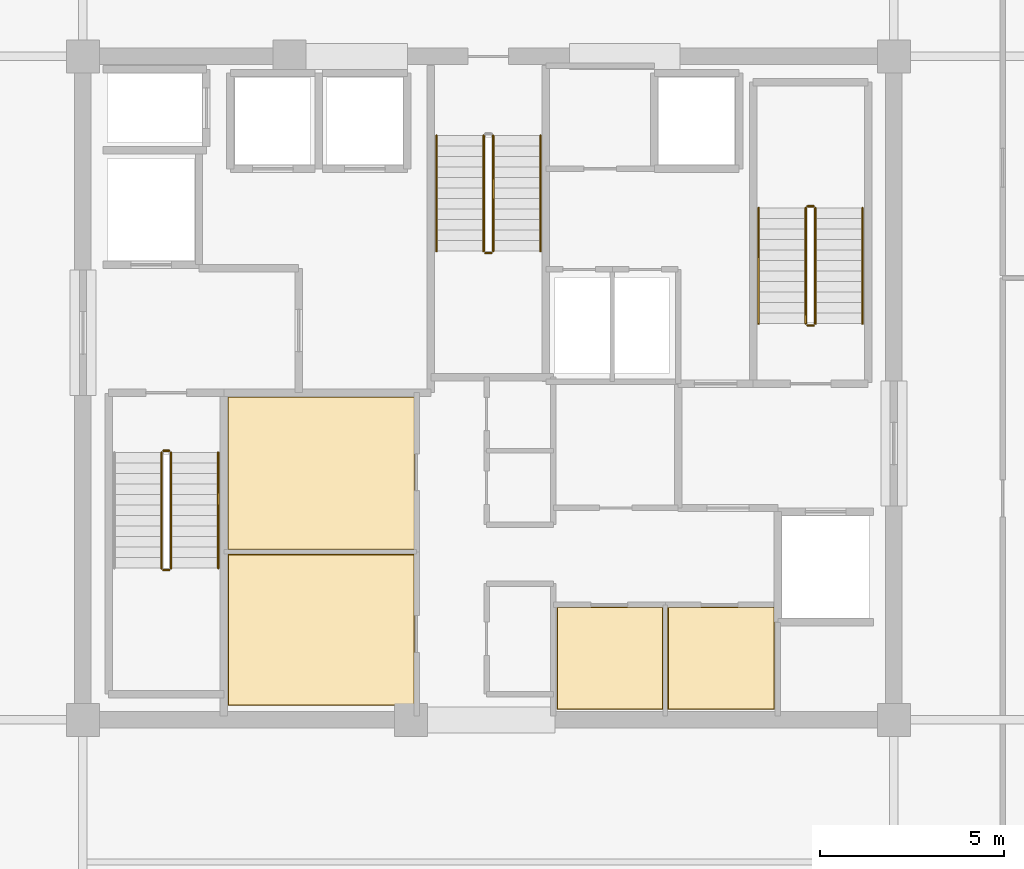
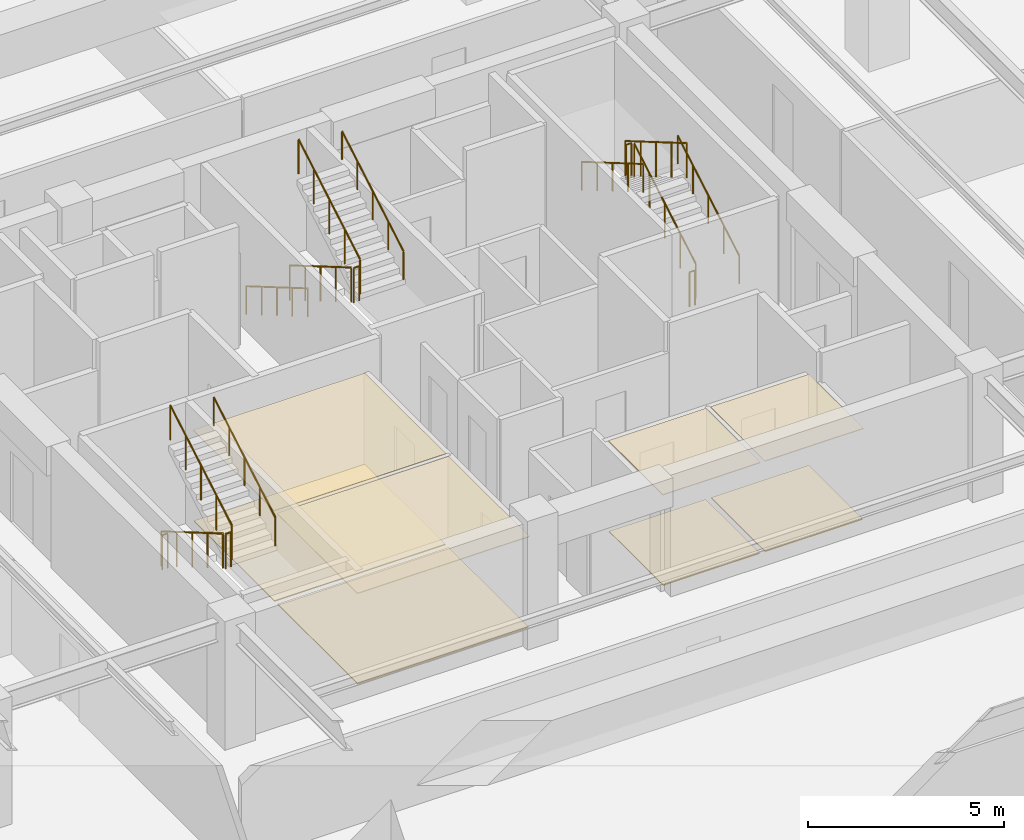
# One storey, part 20 of 23: 16 railings, 8 coverings.
"""IFC4 building model written with IfcOpenShell, lengths in metres."""

import ifcopenshell
import ifcopenshell.guid

model = None  # the IFC model being written
_history = None  # IfcOwnerHistory: only IFC2X3 demands one
_inside = {}  # id of a spatial element -> (the spatial element, [elements in it])
_under = {}  # id of a project, library or spatial element -> (it, [spatial elements below it])
_declared = {}  # id of a project -> (the project, [libraries it declares])
_typed = {}  # id of a type object -> (the type object, [elements of that type])
_made_of = {}  # id of a material, layer set ... -> (it, [elements and type objects made of it])


def new_model(schema):
    """Start an empty IFC model of exactly this schema.

    Asked for "IFC4X3", IfcOpenShell would pick the latest addendum, in which some entities
    have other attributes; the version numbers below select the first issue.
    IFC2X3 requires an IfcOwnerHistory on every rooted entity: one is made here for all.
    """
    global model, _history
    if schema == "IFC4X3":
        model = ifcopenshell.file(schema_version=(4, 3, 0, 0))
    else:
        model = ifcopenshell.file(schema=schema)
    _inside.clear()
    _under.clear()
    _declared.clear()
    _typed.clear()
    _made_of.clear()
    _history = None
    if model.schema == "IFC2X3":
        org = make("IfcOrganization", Name="unknown")
        user = make(
            "IfcPersonAndOrganization",
            ThePerson=make("IfcPerson", FamilyName="unknown"),
            TheOrganization=org,
        )
        app = make(
            "IfcApplication",
            ApplicationDeveloper=org,
            Version="unknown",
            ApplicationFullName="unknown",
            ApplicationIdentifier="unknown",
        )
        _history = make(
            "IfcOwnerHistory",
            OwningUser=user,
            OwningApplication=app,
            ChangeAction="ADDED",
            CreationDate=0,
        )
    return model


def make(cls, **values):
    """One entity of the class cls with the attributes given. An attribute that is None is left unset."""
    return model.create_entity(
        cls, **{name: value for name, value in values.items() if value is not None}
    )


def rooted(cls, **values):
    """An entity with a GlobalId (a new one), such as an element, a storey or a relation."""
    return make(cls, GlobalId=ifcopenshell.guid.new(), OwnerHistory=_history, **values)


def si_unit(unit_type, name, prefix=None):
    """IfcSIUnit, for example si_unit("LENGTHUNIT", "METRE", prefix="MILLI")."""
    return make("IfcSIUnit", UnitType=unit_type, Prefix=prefix, Name=name)


def assignment(units):
    """IfcUnitAssignment: the units of a project."""
    return None if units is None else make("IfcUnitAssignment", Units=units)


def point(xyz):
    """IfcCartesianPoint."""
    return None if xyz is None else make("IfcCartesianPoint", Coordinates=xyz)


def direction(xyz):
    """IfcDirection."""
    return None if xyz is None else make("IfcDirection", DirectionRatios=xyz)


def frame(location, z_axis=None, x_axis=None):
    """IfcAxis2Placement3D, a coordinate frame: its origin and axes. An axis left out is left unset."""
    return make(
        "IfcAxis2Placement3D",
        Location=point(location),
        Axis=direction(z_axis),
        RefDirection=direction(x_axis),
    )


def frame_2d(location, x_axis=None):
    """IfcAxis2Placement2D, a coordinate frame in the plane: its origin and x axis."""
    return make(
        "IfcAxis2Placement2D", Location=point(location), RefDirection=direction(x_axis)
    )


def origin():
    """The frame at (0, 0, 0) with its axes left unset."""
    return frame((0.0, 0.0, 0.0))


def origin_2d():
    """The frame at (0, 0) in the plane with its x axis left unset."""
    return frame_2d((0.0, 0.0))


def place(relative_to, where):
    """IfcLocalPlacement: puts the frame where relative to a parent placement (None: the world)."""
    return make(
        "IfcLocalPlacement", PlacementRelTo=relative_to, RelativePlacement=where
    )


def context(
    kind, dimensions, precision=None, world=None, true_north=None, identifier=None
):
    """IfcGeometricRepresentationContext, for example the 3D "Model" context."""
    return make(
        "IfcGeometricRepresentationContext",
        ContextIdentifier=identifier,
        ContextType=kind,
        CoordinateSpaceDimension=dimensions,
        Precision=precision,
        WorldCoordinateSystem=world,
        TrueNorth=true_north,
    )


def subcontext(parent, identifier, kind, view, scale=None):
    """IfcGeometricRepresentationSubContext, for example "Body" below "Model"."""
    return make(
        "IfcGeometricRepresentationSubContext",
        ContextIdentifier=identifier,
        ContextType=kind,
        ParentContext=parent,
        TargetScale=scale,
        TargetView=view,
    )


def project(units=None, contexts=None):
    """IfcProject with its units and contexts."""
    return rooted(
        "IfcProject",
        Name="project",
        RepresentationContexts=contexts,
        UnitsInContext=assignment(units),
    )


def spatial(cls, under=None, at=None, **own):
    """A site, building, storey or space (cls), placed at a placement, below another one or the project."""
    s = rooted(cls, ObjectPlacement=at, **own)
    if under is not None:
        _under.setdefault(under.id(), (under, []))[1].append(s)
    return s


def polyline(points):
    """IfcPolyline through the points."""
    return make("IfcPolyline", Points=[point(p) for p in points])


def profile(cls, at=None, kind="AREA", **sizes):
    """A parametric profile (cls). Its sizes go by their IFC names, for example OverallWidth=200.0."""
    return make(cls, ProfileType=kind, Position=at, **sizes)


def circle(**sizes):
    """IfcCircleProfileDef."""
    return profile("IfcCircleProfileDef", **sizes)


def outline(outer, holes=None, kind="AREA"):
    """IfcArbitraryClosedProfileDef: a profile drawn as a closed curve; with holes, ...WithVoids."""
    if holes is None:
        return make("IfcArbitraryClosedProfileDef", ProfileType=kind, OuterCurve=outer)
    return make(
        "IfcArbitraryProfileDefWithVoids",
        ProfileType=kind,
        OuterCurve=outer,
        InnerCurves=holes,
    )


def extrude(swept, where, along, depth):
    """IfcExtrudedAreaSolid: the profile swept, set in the frame where, extruded along a direction by depth."""
    return make(
        "IfcExtrudedAreaSolid",
        SweptArea=swept,
        Position=where,
        ExtrudedDirection=direction(along),
        Depth=depth,
    )


def shape(context_of_items, identifier, shape_type, items):
    """IfcShapeRepresentation: the items that make up one representation, for example the "Body"."""
    return make(
        "IfcShapeRepresentation",
        ContextOfItems=context_of_items,
        RepresentationIdentifier=identifier,
        RepresentationType=shape_type,
        Items=items,
    )


def material(Name=None, Category=None):
    """IfcMaterial."""
    return make("IfcMaterial", Name=Name, Category=Category)


def layer(
    of_material, thickness, ventilated=None, Name=None, Category=None, Priority=None
):
    """IfcMaterialLayer: one layer of a wall or slab, of a material (None: an air gap)."""
    return make(
        "IfcMaterialLayer",
        Material=of_material,
        LayerThickness=thickness,
        IsVentilated=ventilated,
        Name=Name,
        Category=Category,
        Priority=Priority,
    )


def layer_set(layers, Name=None):
    """IfcMaterialLayerSet."""
    return make("IfcMaterialLayerSet", MaterialLayers=layers, LayerSetName=Name)


def made_of(thing, what):
    """Note that an element or type object is made of a material, layer set ...; save() writes the relation."""
    if what is not None:
        _made_of.setdefault(what.id(), (what, []))[1].append(thing)
    return thing


def type_object(cls, material=None, **own):
    """A type object (cls), such as IfcWallType, which elements share."""
    return made_of(rooted(cls, **own), material)


def element(
    cls,
    number,
    at=None,
    inside=None,
    cuts=None,
    type_object=None,
    material=None,
    context=None,
    identifier="Body",
    shape_type=None,
    held_by="IfcProductDefinitionShape",
    body=None,
    shapes=None,
    **own,
):
    """One element of the class cls, such as IfcWall. Its Tag is "e" and its number.

    at: its placement. inside: the storey or other place that contains it. cuts: it is an
    opening in that element (IfcRelVoidsElement). A single representation is given by context,
    identifier, shape_type and body (its items); several are given by shapes. held_by: the class
    of the entity that holds the representations. save() writes the other relations.
    """
    e = rooted(cls, Tag="e%d" % number, ObjectPlacement=at, **own)
    if body is not None:
        shapes = [shape(context, identifier, shape_type, body)]
    if shapes is not None:
        e.Representation = make(held_by, Representations=shapes)
    if inside is not None:
        _inside.setdefault(inside.id(), (inside, []))[1].append(e)
    if cuts is not None:
        rooted(
            "IfcRelVoidsElement", RelatingBuildingElement=cuts, RelatedOpeningElement=e
        )
    if type_object is not None:
        _typed.setdefault(type_object.id(), (type_object, []))[1].append(e)
    return made_of(e, material)


def aggregate(whole, parts):
    """IfcRelAggregates: a whole, such as a stair, and the parts it consists of."""
    return rooted("IfcRelAggregates", RelatingObject=whole, RelatedObjects=parts)


def save(model, path):
    """Write the relations noted so far, then the file.

    IfcRelAggregates (storeys below a building ...), IfcRelContainedInSpatialStructure (elements
    in a storey), IfcRelDefinesByType, IfcRelAssociatesMaterial and IfcRelDeclares: one each for
    every whole, place, type object, material and project.
    """
    for whole, parts in _under.values():
        aggregate(whole, parts)
    for where, things in _inside.values():
        rooted(
            "IfcRelContainedInSpatialStructure",
            RelatedElements=things,
            RelatingStructure=where,
        )
    for kind, things in _typed.values():
        rooted("IfcRelDefinesByType", RelatedObjects=things, RelatingType=kind)
    for what, things in _made_of.values():
        rooted("IfcRelAssociatesMaterial", RelatedObjects=things, RelatingMaterial=what)
    for by, libraries in _declared.values():
        rooted("IfcRelDeclares", RelatingContext=by, RelatedDefinitions=libraries)
    model.write(path)


model = new_model("IFC4")

# Units and contexts
model_context = context("Model", 3, precision=1e-05, world=origin(), true_north=direction((0.0, 1.0)))
body_context = subcontext(model_context, "Body", "Model", "MODEL_VIEW")
ifc_project = project(units=[si_unit("LENGTHUNIT", "METRE"), si_unit("AREAUNIT", "SQUARE_METRE"), si_unit("VOLUMEUNIT", "CUBIC_METRE"), si_unit("PLANEANGLEUNIT", "RADIAN"), si_unit("MASSUNIT", "GRAM", prefix="KILO")], contexts=[model_context])

# Site, building, storey
site_placement = place(None, origin())
site = spatial("IfcSite", under=ifc_project, at=site_placement, CompositionType="ELEMENT")
building_placement = place(site_placement, origin())
building = spatial("IfcBuilding", under=site, at=building_placement, Name="Kovane Verandah Tower", CompositionType="ELEMENT")
storey_placement = place(building_placement, frame((0.0, 0.0, 243.199951171875)))
storey = spatial("IfcBuildingStorey", under=building, at=storey_placement, Name="L56", CompositionType="ELEMENT", Elevation=243.199951171875)

# Coverings
ifc_material_1 = material(Name="Perforated Acoustic Mineral-Fibre Ceiling Tile", Category="gypsum")
ifc_layer_1 = layer(ifc_material_1, 0.02490234375)
ifc_layer_set_1 = layer_set([ifc_layer_1], Name="Perforated Acoustic Mineral-Fibre Ceiling Tile")
covering_type_1 = type_object("IfcCoveringType", Name="CV-CEIL-25", PredefinedType="CEILING", material=ifc_layer_set_1)
covering_1_placement = place(storey_placement, frame((0.0, 0.0, 2.824951171875)))
element("IfcCovering", 1, at=covering_1_placement, inside=storey, type_object=covering_type_1, Name="L56 IT Server Room Acoustic Ceiling", PredefinedType="CEILING", context=body_context, shape_type="SweptSolid", body=[
    extrude(outline(polyline([(32.93505859375, 18.885009765625), (37.9951171875, 18.885009765625), (37.9951171875, 22.9951171875), (32.93505859375, 22.9951171875), (32.93505859375, 18.885009765625)])), origin(), (0.0, 0.0, 1.0), 0.025146484375),
])
covering_2_placement = place(storey_placement, frame((0.0, 0.0, 2.824951171875)))
element("IfcCovering", 2, at=covering_2_placement, inside=storey, type_object=covering_type_1, Name="L56 Telecom MDF Room Acoustic Ceiling", PredefinedType="CEILING", context=body_context, shape_type="SweptSolid", body=[
    extrude(outline(polyline([(32.93505859375, 23.125), (37.9951171875, 23.125), (37.9951171875, 27.264892578125), (32.93505859375, 27.264892578125), (32.93505859375, 23.125)])), origin(), (0.0, 0.0, 1.0), 0.025146484375),
])
covering_3_placement = place(storey_placement, frame((0.0, 0.0, 2.824951171875)))
element("IfcCovering", 3, at=covering_3_placement, inside=storey, type_object=covering_type_1, Name="L56 AV Control Room Acoustic Ceiling", PredefinedType="CEILING", context=body_context, shape_type="SweptSolid", body=[
    extrude(outline(polyline([(41.864990234375, 18.784912109375), (44.735107421875, 18.784912109375), (44.735107421875, 21.56494140625), (41.864990234375, 21.56494140625), (41.864990234375, 18.784912109375)])), origin(), (0.0, 0.0, 1.0), 0.025146484375),
])
covering_4_placement = place(storey_placement, frame((0.0, 0.0, 2.824951171875)))
element("IfcCovering", 4, at=covering_4_placement, inside=storey, type_object=covering_type_1, Name="L56 East IT Server Room Acoustic Ceiling", PredefinedType="CEILING", context=body_context, shape_type="SweptSolid", body=[
    extrude(outline(polyline([(44.864990234375, 18.784912109375), (47.764892578125, 18.784912109375), (47.764892578125, 21.56494140625), (44.864990234375, 21.56494140625), (44.864990234375, 18.784912109375)])), origin(), (0.0, 0.0, 1.0), 0.025146484375),
])
ifc_material_2 = material(Name="Polished Terrazzo and Raised-Access Carpet Tile Finish", Category="concrete")
ifc_layer_2 = layer(ifc_material_2, 0.030029296875)
ifc_layer_set_2 = layer_set([ifc_layer_2], Name="Polished Terrazzo and Raised-Access Carpet Tile Finish")
covering_type_2 = type_object("IfcCoveringType", Name="CV-FLOR-30", PredefinedType="FLOORING", material=ifc_layer_set_2)
covering_5_placement = place(storey_placement, origin())
element("IfcCovering", 5, at=covering_5_placement, inside=storey, type_object=covering_type_2, Name="L56 IT Server Room Floor Finish", PredefinedType="FLOORING", context=body_context, shape_type="SweptSolid", body=[
    extrude(outline(polyline([(32.949951171875, 18.89990234375), (37.97998046875, 18.89990234375), (37.97998046875, 22.97998046875), (32.949951171875, 22.97998046875), (32.949951171875, 18.89990234375)])), origin(), (0.0, 0.0, 1.0), 0.030029296875),
])
covering_6_placement = place(storey_placement, origin())
element("IfcCovering", 6, at=covering_6_placement, inside=storey, type_object=covering_type_2, Name="L56 Telecom MDF Room Floor Finish", PredefinedType="FLOORING", context=body_context, shape_type="SweptSolid", body=[
    extrude(outline(polyline([(32.949951171875, 23.139892578125), (37.97998046875, 23.139892578125), (37.97998046875, 27.25), (32.949951171875, 27.25), (32.949951171875, 23.139892578125)])), origin(), (0.0, 0.0, 1.0), 0.030029296875),
])
covering_7_placement = place(storey_placement, origin())
element("IfcCovering", 7, at=covering_7_placement, inside=storey, type_object=covering_type_2, Name="L56 AV Control Room Floor Finish", PredefinedType="FLOORING", context=body_context, shape_type="SweptSolid", body=[
    extrude(outline(polyline([(41.8798828125, 18.800048828125), (44.719970703125, 18.800048828125), (44.719970703125, 21.550048828125), (41.8798828125, 21.550048828125), (41.8798828125, 18.800048828125)])), origin(), (0.0, 0.0, 1.0), 0.030029296875),
])
covering_8_placement = place(storey_placement, origin())
element("IfcCovering", 8, at=covering_8_placement, inside=storey, type_object=covering_type_2, Name="L56 East IT Server Room Floor Finish", PredefinedType="FLOORING", context=body_context, shape_type="SweptSolid", body=[
    extrude(outline(polyline([(44.8798828125, 18.800048828125), (47.75, 18.800048828125), (47.75, 21.550048828125), (44.8798828125, 21.550048828125), (44.8798828125, 18.800048828125)])), origin(), (0.0, 0.0, 1.0), 0.030029296875),
])

# Railings
ifc_material_3 = material(Name="Brushed Stainless Steel Handrail", Category="steel")
railing_type_1 = type_object("IfcRailingType", Name="RL-HAND-920", PredefinedType="HANDRAIL", material=ifc_material_3)
for number, where, name in (
    (9, (32.669921875, 22.614990234375, 2.166748046875), "L56 ST-01 stair handrail 2"),
    (10, (50.14990234375, 29.25, 0.166748046875), "L56 ST-02 stair handrail 1"),
):
    element("IfcRailing", number, at=place(storey_placement, frame(where)), inside=storey, type_object=railing_type_1, Name=name, PredefinedType="HANDRAIL", context=body_context, shape_type="SweptSolid", body=[
        extrude(circle(Radius=0.02392578125, at=origin_2d()), frame((0.0, 0.0, 0.8759765625), z_axis=(0.0, 0.863239559939, 0.504794475164), x_axis=(-1.0, 0.0, 0.0)), (0.0, 0.0, 1.0), 3.631591796875),
        extrude(circle(Radius=0.02099609375, at=origin_2d()), origin(), (0.0, 0.0, 1.0), 0.851806640625),
        extrude(circle(Radius=0.02099609375, at=origin_2d()), frame((0.0, 0.78369140625, 0.458251953125)), (0.0, 0.0, 1.0), 0.851806640625),
        extrude(circle(Radius=0.02099609375, at=origin_2d()), frame((0.0, 1.5673828125, 0.91650390625)), (0.0, 0.0, 1.0), 0.851806640625),
        extrude(circle(Radius=0.02099609375, at=origin_2d()), frame((0.0, 2.351318359375, 1.375)), (0.0, 0.0, 1.0), 0.851806640625),
        extrude(circle(Radius=0.02099609375, at=origin_2d()), frame((0.0, 3.135009765625, 1.833251953125)), (0.0, 0.0, 1.0), 0.851806640625),
    ])
for number, where, name in (
    (11, (47.330078125, 32.385009765625, 2.166748046875), "L56 ST-02 stair handrail 2"),
    (12, (38.590087890625, 34.35009765625, 0.166748046875), "L56 ST-03 stair handrail 1"),
):
    element("IfcRailing", number, at=place(storey_placement, frame(where)), inside=storey, type_object=railing_type_1, Name=name, PredefinedType="HANDRAIL", context=body_context, shape_type="SweptSolid", body=[
        extrude(circle(Radius=0.02392578125, at=origin_2d()), frame((0.0, 0.0, 0.8759765625), z_axis=(0.0, -0.863239559939, 0.504794475164), x_axis=(1.0, 0.0, 0.0)), (0.0, 0.0, 1.0), 3.631591796875),
        extrude(circle(Radius=0.02099609375, at=origin_2d()), origin(), (0.0, 0.0, 1.0), 0.851806640625),
        extrude(circle(Radius=0.02099609375, at=origin_2d()), frame((0.0, -0.78369140625, 0.458251953125)), (0.0, 0.0, 1.0), 0.851806640625),
        extrude(circle(Radius=0.02099609375, at=origin_2d()), frame((0.0, -1.5673828125, 0.91650390625)), (0.0, 0.0, 1.0), 0.851806640625),
        extrude(circle(Radius=0.02099609375, at=origin_2d()), frame((0.0, -2.351318359375, 1.375)), (0.0, 0.0, 1.0), 0.851806640625),
        extrude(circle(Radius=0.02099609375, at=origin_2d()), frame((0.0, -3.135009765625, 1.833251953125)), (0.0, 0.0, 1.0), 0.851806640625),
    ])
railing_1_placement = place(storey_placement, frame((41.409912109375, 31.215087890625, 2.166748046875)))
element("IfcRailing", 13, at=railing_1_placement, inside=storey, type_object=railing_type_1, Name="L56 ST-03 stair handrail 2", PredefinedType="HANDRAIL", context=body_context, shape_type="SweptSolid", body=[
    extrude(circle(Radius=0.02392578125, at=origin_2d()), frame((0.0, 0.0, 0.8759765625), z_axis=(0.0, 0.863239559939, 0.504794475164), x_axis=(-1.0, 0.0, 0.0)), (0.0, 0.0, 1.0), 3.631591796875),
    extrude(circle(Radius=0.02099609375, at=origin_2d()), origin(), (0.0, 0.0, 1.0), 0.851806640625),
    extrude(circle(Radius=0.02099609375, at=origin_2d()), frame((0.0, 0.78369140625, 0.458251953125)), (0.0, 0.0, 1.0), 0.851806640625),
    extrude(circle(Radius=0.02099609375, at=origin_2d()), frame((0.0, 1.5673828125, 0.91650390625)), (0.0, 0.0, 1.0), 0.851806640625),
    extrude(circle(Radius=0.02099609375, at=origin_2d()), frame((0.0, 2.351318359375, 1.375)), (0.0, 0.0, 1.0), 0.851806640625),
    extrude(circle(Radius=0.02099609375, at=origin_2d()), frame((0.0, 3.135009765625, 1.833251953125)), (0.0, 0.0, 1.0), 0.851806640625),
])
ifc_material_4 = material(Name="Painted Steel Stairwell Guardrail", Category="steel")
railing_type_2 = type_object("IfcRailingType", Name="RL-STGUARD-1120", PredefinedType="GUARDRAIL", material=ifc_material_4)
railing_2_placement = place(storey_placement, frame((31.1298828125, 25.75, 0.166748046875)))
element("IfcRailing", 14, at=railing_2_placement, inside=storey, type_object=railing_type_2, Name="L56 ST-01 stair guard 1", PredefinedType="GUARDRAIL", context=body_context, shape_type="SweptSolid", body=[
    extrude(circle(Radius=0.02392578125, at=origin_2d()), frame((0.0, 0.0, 1.076171875), z_axis=(0.0, -0.863239559939, 0.504794475164), x_axis=(1.0, 0.0, 0.0)), (0.0, 0.0, 1.0), 3.631591796875),
    extrude(circle(Radius=0.02099609375, at=origin_2d()), origin(), (0.0, 0.0, 1.0), 1.052001953125),
    extrude(circle(Radius=0.02099609375, at=origin_2d()), frame((0.0, -0.78369140625, 0.458251953125)), (0.0, 0.0, 1.0), 1.052001953125),
    extrude(circle(Radius=0.02099609375, at=origin_2d()), frame((0.0, -1.5673828125, 0.91650390625)), (0.0, 0.0, 1.0), 1.052001953125),
    extrude(circle(Radius=0.02099609375, at=origin_2d()), frame((0.0, -2.351318359375, 1.375)), (0.0, 0.0, 1.0), 1.052001953125),
    extrude(circle(Radius=0.02099609375, at=origin_2d()), frame((0.0, -3.135009765625, 1.833251953125)), (0.0, 0.0, 1.0), 1.052001953125),
])
railing_3_placement = place(storey_placement, frame((31.179931640625, 22.56494140625, 2.0)))
element("IfcRailing", 15, at=railing_3_placement, inside=storey, type_object=railing_type_2, Name="L56 ST-01 stair guard 2", PredefinedType="GUARDRAIL", context=body_context, shape_type="SweptSolid", body=[
    extrude(circle(Radius=0.02392578125, at=origin_2d()), frame((0.0, 0.0, 1.076171875), z_axis=(1.0, 0.0, 0.0), x_axis=(0.0, 1.0, 0.0)), (0.0, 0.0, 1.0), 0.16015625),
    extrude(circle(Radius=0.02099609375, at=origin_2d()), origin(), (0.0, 0.0, 1.0), 1.052001953125),
    extrude(circle(Radius=0.02099609375, at=origin_2d()), frame((0.16015625, 0.0, 0.0)), (0.0, 0.0, 1.0), 1.052001953125),
])
railing_4_placement = place(storey_placement, frame((31.389892578125, 22.614990234375, 2.166748046875)))
element("IfcRailing", 16, at=railing_4_placement, inside=storey, type_object=railing_type_2, Name="L56 ST-01 stair guard 3", PredefinedType="GUARDRAIL", context=body_context, shape_type="SweptSolid", body=[
    extrude(circle(Radius=0.02392578125, at=origin_2d()), frame((0.0, 0.0, 1.076171875), z_axis=(0.0, 0.863239559939, 0.504794475164), x_axis=(-1.0, 0.0, 0.0)), (0.0, 0.0, 1.0), 3.631591796875),
    extrude(circle(Radius=0.02099609375, at=origin_2d()), origin(), (0.0, 0.0, 1.0), 1.052001953125),
    extrude(circle(Radius=0.02099609375, at=origin_2d()), frame((0.0, 0.78369140625, 0.458251953125)), (0.0, 0.0, 1.0), 1.052001953125),
    extrude(circle(Radius=0.02099609375, at=origin_2d()), frame((0.0, 1.5673828125, 0.91650390625)), (0.0, 0.0, 1.0), 1.052001953125),
    extrude(circle(Radius=0.02099609375, at=origin_2d()), frame((0.0, 2.351318359375, 1.375)), (0.0, 0.0, 1.0), 1.052001953125),
    extrude(circle(Radius=0.02099609375, at=origin_2d()), frame((0.0, 3.135009765625, 1.833251953125)), (0.0, 0.0, 1.0), 1.052001953125),
])
railing_5_placement = place(storey_placement, frame((31.179931640625, 25.800048828125, 0.0)))
element("IfcRailing", 17, at=railing_5_placement, inside=storey, type_object=railing_type_2, Name="L56 ST-01 stair guard 4", PredefinedType="GUARDRAIL", context=body_context, shape_type="SweptSolid", body=[
    extrude(circle(Radius=0.02392578125, at=origin_2d()), frame((0.0, 0.0, 1.076171875), z_axis=(1.0, 0.0, 0.0), x_axis=(0.0, 1.0, 0.0)), (0.0, 0.0, 1.0), 0.16015625),
    extrude(circle(Radius=0.02099609375, at=origin_2d()), origin(), (0.0, 0.0, 1.0), 1.052001953125),
    extrude(circle(Radius=0.02099609375, at=origin_2d()), frame((0.16015625, 0.0, 0.0)), (0.0, 0.0, 1.0), 1.052001953125),
])
railing_6_placement = place(storey_placement, frame((48.8701171875, 29.25, 0.166748046875)))
element("IfcRailing", 18, at=railing_6_placement, inside=storey, type_object=railing_type_2, Name="L56 ST-02 stair guard 1", PredefinedType="GUARDRAIL", context=body_context, shape_type="SweptSolid", body=[
    extrude(circle(Radius=0.02392578125, at=origin_2d()), frame((0.0, 0.0, 1.076171875), z_axis=(0.0, 0.863239559939, 0.504794475164), x_axis=(-1.0, 0.0, 0.0)), (0.0, 0.0, 1.0), 3.631591796875),
    extrude(circle(Radius=0.02099609375, at=origin_2d()), origin(), (0.0, 0.0, 1.0), 1.052001953125),
    extrude(circle(Radius=0.02099609375, at=origin_2d()), frame((0.0, 0.78369140625, 0.458251953125)), (0.0, 0.0, 1.0), 1.052001953125),
    extrude(circle(Radius=0.02099609375, at=origin_2d()), frame((0.0, 1.5673828125, 0.91650390625)), (0.0, 0.0, 1.0), 1.052001953125),
    extrude(circle(Radius=0.02099609375, at=origin_2d()), frame((0.0, 2.351318359375, 1.375)), (0.0, 0.0, 1.0), 1.052001953125),
    extrude(circle(Radius=0.02099609375, at=origin_2d()), frame((0.0, 3.135009765625, 1.833251953125)), (0.0, 0.0, 1.0), 1.052001953125),
])
railing_7_placement = place(storey_placement, frame((48.820068359375, 32.43505859375, 2.0)))
element("IfcRailing", 19, at=railing_7_placement, inside=storey, type_object=railing_type_2, Name="L56 ST-02 stair guard 2", PredefinedType="GUARDRAIL", context=body_context, shape_type="SweptSolid", body=[
    extrude(circle(Radius=0.02392578125, at=origin_2d()), frame((0.0, 0.0, 1.076171875), z_axis=(-1.0, 0.0, 0.0), x_axis=(0.0, -1.0, 0.0)), (0.0, 0.0, 1.0), 0.16015625),
    extrude(circle(Radius=0.02099609375, at=origin_2d()), origin(), (0.0, 0.0, 1.0), 1.052001953125),
    extrude(circle(Radius=0.02099609375, at=origin_2d()), frame((-0.16015625, 0.0, 0.0)), (0.0, 0.0, 1.0), 1.052001953125),
])
railing_8_placement = place(storey_placement, frame((48.610107421875, 32.385009765625, 2.166748046875)))
element("IfcRailing", 20, at=railing_8_placement, inside=storey, type_object=railing_type_2, Name="L56 ST-02 stair guard 3", PredefinedType="GUARDRAIL", context=body_context, shape_type="SweptSolid", body=[
    extrude(circle(Radius=0.02392578125, at=origin_2d()), frame((0.0, 0.0, 1.076171875), z_axis=(0.0, -0.863239559939, 0.504794475164), x_axis=(1.0, 0.0, 0.0)), (0.0, 0.0, 1.0), 3.631591796875),
    extrude(circle(Radius=0.02099609375, at=origin_2d()), origin(), (0.0, 0.0, 1.0), 1.052001953125),
    extrude(circle(Radius=0.02099609375, at=origin_2d()), frame((0.0, -0.78369140625, 0.458251953125)), (0.0, 0.0, 1.0), 1.052001953125),
    extrude(circle(Radius=0.02099609375, at=origin_2d()), frame((0.0, -1.5673828125, 0.91650390625)), (0.0, 0.0, 1.0), 1.052001953125),
    extrude(circle(Radius=0.02099609375, at=origin_2d()), frame((0.0, -2.351318359375, 1.375)), (0.0, 0.0, 1.0), 1.052001953125),
    extrude(circle(Radius=0.02099609375, at=origin_2d()), frame((0.0, -3.135009765625, 1.833251953125)), (0.0, 0.0, 1.0), 1.052001953125),
])
railing_9_placement = place(storey_placement, frame((48.820068359375, 29.199951171875, 0.0)))
element("IfcRailing", 21, at=railing_9_placement, inside=storey, type_object=railing_type_2, Name="L56 ST-02 stair guard 4", PredefinedType="GUARDRAIL", context=body_context, shape_type="SweptSolid", body=[
    extrude(circle(Radius=0.02392578125, at=origin_2d()), frame((0.0, 0.0, 1.076171875), z_axis=(-1.0, 0.0, 0.0), x_axis=(0.0, -1.0, 0.0)), (0.0, 0.0, 1.0), 0.16015625),
    extrude(circle(Radius=0.02099609375, at=origin_2d()), origin(), (0.0, 0.0, 1.0), 1.052001953125),
    extrude(circle(Radius=0.02099609375, at=origin_2d()), frame((-0.16015625, 0.0, 0.0)), (0.0, 0.0, 1.0), 1.052001953125),
])
railing_10_placement = place(storey_placement, frame((39.8701171875, 34.35009765625, 0.166748046875)))
element("IfcRailing", 22, at=railing_10_placement, inside=storey, type_object=railing_type_2, Name="L56 ST-03 stair guard 1", PredefinedType="GUARDRAIL", context=body_context, shape_type="SweptSolid", body=[
    extrude(circle(Radius=0.02392578125, at=origin_2d()), frame((0.0, 0.0, 1.076171875), z_axis=(0.0, -0.863239559939, 0.504794475164), x_axis=(1.0, 0.0, 0.0)), (0.0, 0.0, 1.0), 3.631591796875),
    extrude(circle(Radius=0.02099609375, at=origin_2d()), origin(), (0.0, 0.0, 1.0), 1.052001953125),
    extrude(circle(Radius=0.02099609375, at=origin_2d()), frame((0.0, -0.78369140625, 0.458251953125)), (0.0, 0.0, 1.0), 1.052001953125),
    extrude(circle(Radius=0.02099609375, at=origin_2d()), frame((0.0, -1.5673828125, 0.91650390625)), (0.0, 0.0, 1.0), 1.052001953125),
    extrude(circle(Radius=0.02099609375, at=origin_2d()), frame((0.0, -2.351318359375, 1.375)), (0.0, 0.0, 1.0), 1.052001953125),
    extrude(circle(Radius=0.02099609375, at=origin_2d()), frame((0.0, -3.135009765625, 1.833251953125)), (0.0, 0.0, 1.0), 1.052001953125),
])
railing_11_placement = place(storey_placement, frame((39.919921875, 31.1650390625, 2.0)))
element("IfcRailing", 23, at=railing_11_placement, inside=storey, type_object=railing_type_2, Name="L56 ST-03 stair guard 2", PredefinedType="GUARDRAIL", context=body_context, shape_type="SweptSolid", body=[
    extrude(circle(Radius=0.02392578125, at=origin_2d()), frame((0.0, 0.0, 1.076171875), z_axis=(1.0, 0.0, 0.0), x_axis=(0.0, 1.0, 0.0)), (0.0, 0.0, 1.0), 0.16015625),
    extrude(circle(Radius=0.02099609375, at=origin_2d()), origin(), (0.0, 0.0, 1.0), 1.052001953125),
    extrude(circle(Radius=0.02099609375, at=origin_2d()), frame((0.16015625, 0.0, 0.0)), (0.0, 0.0, 1.0), 1.052001953125),
])
railing_12_placement = place(storey_placement, frame((40.1298828125, 31.215087890625, 2.166748046875)))
element("IfcRailing", 24, at=railing_12_placement, inside=storey, type_object=railing_type_2, Name="L56 ST-03 stair guard 3", PredefinedType="GUARDRAIL", context=body_context, shape_type="SweptSolid", body=[
    extrude(circle(Radius=0.02392578125, at=origin_2d()), frame((0.0, 0.0, 1.076171875), z_axis=(0.0, 0.863239559939, 0.504794475164), x_axis=(-1.0, 0.0, 0.0)), (0.0, 0.0, 1.0), 3.631591796875),
    extrude(circle(Radius=0.02099609375, at=origin_2d()), origin(), (0.0, 0.0, 1.0), 1.052001953125),
    extrude(circle(Radius=0.02099609375, at=origin_2d()), frame((0.0, 0.78369140625, 0.458251953125)), (0.0, 0.0, 1.0), 1.052001953125),
    extrude(circle(Radius=0.02099609375, at=origin_2d()), frame((0.0, 1.5673828125, 0.91650390625)), (0.0, 0.0, 1.0), 1.052001953125),
    extrude(circle(Radius=0.02099609375, at=origin_2d()), frame((0.0, 2.351318359375, 1.375)), (0.0, 0.0, 1.0), 1.052001953125),
    extrude(circle(Radius=0.02099609375, at=origin_2d()), frame((0.0, 3.135009765625, 1.833251953125)), (0.0, 0.0, 1.0), 1.052001953125),
])

save(model, "model.ifc")
